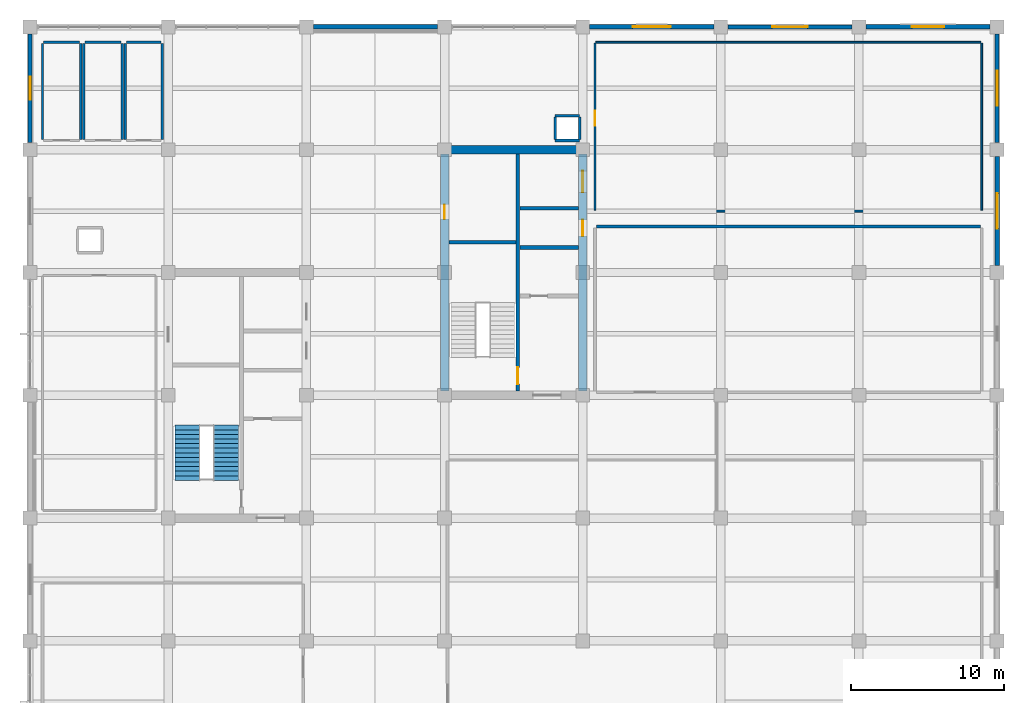
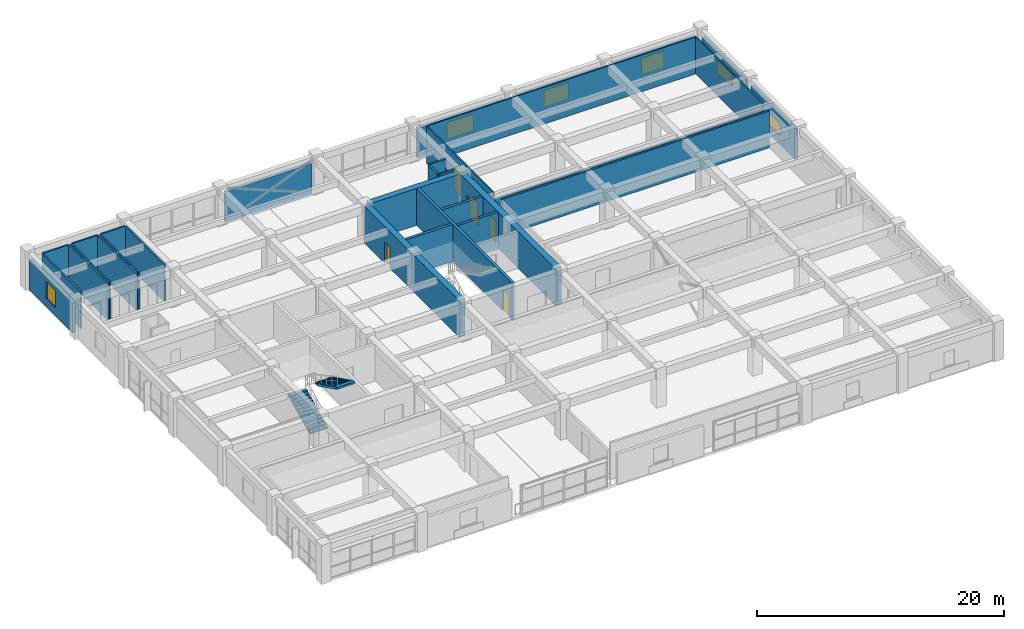
# One storey, part 14 of 16: 32 walls, 6 windows, 5 doors, 2 stair flights, 11 openings, 1 element without a shape of its own.
"""IFC4 building model written with IfcOpenShell, lengths in metres."""

from ifc_helpers import new_model, si_unit, direction, frame, frame_2d, origin, place, context, subcontext, project, spatial, polyline, rectangle, outline, extrude, material, layer, layer_set, type_object, element, fill, aggregate, save


model = new_model("IFC4")

# Units and contexts
model_context = context("Model", 3, precision=1e-05, world=origin(), true_north=direction((0.0, 1.0)))
body_context = subcontext(model_context, "Body", "Model", "MODEL_VIEW")
ifc_project = project(units=[si_unit("LENGTHUNIT", "METRE"), si_unit("AREAUNIT", "SQUARE_METRE"), si_unit("VOLUMEUNIT", "CUBIC_METRE"), si_unit("PLANEANGLEUNIT", "RADIAN"), si_unit("MASSUNIT", "GRAM", prefix="KILO")], contexts=[model_context])

# Site, building, storey
site_placement = place(None, origin())
site = spatial("IfcSite", under=ifc_project, at=site_placement, CompositionType="ELEMENT")
building_placement = place(site_placement, origin())
building = spatial("IfcBuilding", under=site, at=building_placement, Name="Zaverband Oceanarium and Marine Research Institute", CompositionType="ELEMENT")
storey_placement = place(building_placement, frame((0.0, 0.0, 25.800048828125)))
storey = spatial("IfcBuildingStorey", under=building, at=storey_placement, Name="L06", CompositionType="ELEMENT", Elevation=25.800048828125)

# Wall
ifc_material_1 = material(Name="Concrete C50/60", Category="concrete")
ifc_layer_1 = layer(ifc_material_1, 0.550048828125, Name="Concrete C50/60")
ifc_layer_set_1 = layer_set([ifc_layer_1], Name="Concrete C50/60")
wall_type_1 = type_object("IfcWallType", Name="CW-01", PredefinedType="SHEAR", material=ifc_layer_set_1)
wall_1_placement = place(storey_placement, frame((36.27490234375, 104.0, 0.0), z_axis=(0.0, 0.0, 1.0), x_axis=(1.0, 0.0, 0.0)))
element("IfcWall", 1, at=wall_1_placement, inside=storey, type_object=wall_type_1, Name="Structural shear wall CW-01", PredefinedType="SHEAR", context=body_context, shape_type="SweptSolid", body=[
    extrude(rectangle(XDim=8.4501953125, YDim=0.550048828125, at=frame_2d((4.22509765625, 0.0))), origin(), (0.0, 0.0, 1.0), 3.64990234375),
])

# Wall, opening, door
wall_2_placement = place(storey_placement, frame((36.0, 88.27490234375, 0.0), z_axis=(0.0, 0.0, 1.0), x_axis=(0.0, 1.0, 0.0)))
wall_2 = element("IfcWall", 2, at=wall_2_placement, inside=storey, type_object=wall_type_1, Name="Structural shear wall CW-01", PredefinedType="SHEAR", context=body_context, shape_type="SweptSolid", body=[
    extrude(rectangle(XDim=15.4501953125, YDim=0.550048828125, at=frame_2d((7.72509765625, 0.0))), origin(), (0.0, 0.0, 1.0), 3.64990234375),
])
opening_1_placement = place(wall_2_placement, frame((11.199951171875, 0.0, 0.0)))
opening_1 = element("IfcOpeningElement", 3, at=opening_1_placement, cuts=wall_2, Name="Opening FD-03", PredefinedType="OPENING", context=body_context, shape_type="SweptSolid", body=[
    extrude(rectangle(XDim=0.949951171875, YDim=2.10009765625, at=frame_2d((0.47509765625, 1.050048828125))), frame((0.0, 0.287109375, 0.0), z_axis=(0.0, -1.0, 0.0), x_axis=(1.0, 0.0, 0.0)), (0.0, 0.0, 1.0), 0.573974609375),
])
ifc_material_2 = material(Name="Steel S355", Category="steel")
door_type_1 = type_object("IfcDoorType", Name="FD-03", OperationType="NOTDEFINED", PredefinedType="DOOR", material=ifc_material_2)
door_1_placement = place(opening_1_placement, origin())
door_1 = element("IfcDoor", 4, at=door_1_placement, inside=storey, type_object=door_type_1, Name="Service riser access fire door FD-03", OperationType="SINGLE_SWING_RIGHT", OverallHeight=2.10009765625, OverallWidth=0.949951171875, PredefinedType="DOOR", context=body_context, shape_type="SweptSolid", body=[
    extrude(rectangle(XDim=0.949951171875, YDim=2.10009765625, at=frame_2d((0.47509765625, 1.050048828125))), frame((0.0, 0.02490234375, 0.0), z_axis=(0.0, -1.0, 0.0), x_axis=(1.0, 0.0, 0.0)), (0.0, 0.0, 1.0), 0.050048828125),
])
fill(opening_1, door_1)

# Wall, openings, doors
wall_3_placement = place(storey_placement, frame((45.0, 88.27490234375, 0.0), z_axis=(0.0, 0.0, 1.0), x_axis=(0.0, 1.0, 0.0)))
wall_3 = element("IfcWall", 5, at=wall_3_placement, inside=storey, type_object=wall_type_1, Name="Structural shear wall CW-01", PredefinedType="SHEAR", context=body_context, shape_type="SweptSolid", body=[
    extrude(rectangle(XDim=15.4501953125, YDim=0.550048828125, at=frame_2d((7.72509765625, 0.0))), origin(), (0.0, 0.0, 1.0), 3.64990234375),
])
opening_2_placement = place(wall_3_placement, frame((10.10009765625, 0.0, 0.0)))
opening_2 = element("IfcOpeningElement", 6, at=opening_2_placement, cuts=wall_3, Name="Opening LD-02", PredefinedType="OPENING", context=body_context, shape_type="SweptSolid", body=[
    extrude(rectangle(XDim=1.050048828125, YDim=2.1201171875, at=frame_2d((0.52490234375, 1.06005859375))), frame((0.0, 0.287109375, 0.0), z_axis=(0.0, -1.0, 0.0), x_axis=(1.0, 0.0, 0.0)), (0.0, 0.0, 1.0), 0.573974609375),
])
opening_3_placement = place(wall_3_placement, frame((12.949951171875, 0.0, 0.0)))
opening_3 = element("IfcOpeningElement", 7, at=opening_3_placement, cuts=wall_3, Name="Opening LD-03", PredefinedType="OPENING", context=body_context, shape_type="SweptSolid", body=[
    extrude(rectangle(XDim=1.39990234375, YDim=2.199951171875, at=frame_2d((0.699951171875, 1.10009765625))), frame((0.0, 0.287109375, 0.0), z_axis=(0.0, -1.0, 0.0), x_axis=(1.0, 0.0, 0.0)), (0.0, 0.0, 1.0), 0.573974609375),
])
door_type_2 = type_object("IfcDoorType", Name="LD-02", OperationType="DOUBLE_DOOR_SLIDING", PredefinedType="DOOR", material=ifc_material_2)
door_2_placement = place(opening_2_placement, origin())
door_2 = element("IfcDoor", 8, at=door_2_placement, inside=storey, type_object=door_type_2, Name="Passenger lift sliding landing door LD-02", OperationType="DOUBLE_DOOR_SLIDING", OverallHeight=2.1201171875, OverallWidth=1.050048828125, PredefinedType="DOOR", context=body_context, shape_type="SweptSolid", body=[
    extrude(rectangle(XDim=1.050048828125, YDim=2.1201171875, at=frame_2d((0.52490234375, 1.06005859375))), frame((0.0, 0.02490234375, 0.0), z_axis=(0.0, -1.0, 0.0), x_axis=(1.0, 0.0, 0.0)), (0.0, 0.0, 1.0), 0.050048828125),
])
fill(opening_2, door_2)
door_type_3 = type_object("IfcDoorType", Name="LD-03", OperationType="DOUBLE_DOOR_SLIDING", PredefinedType="DOOR", material=ifc_material_2)
door_3_placement = place(opening_3_placement, origin())
door_3 = element("IfcDoor", 9, at=door_3_placement, inside=storey, type_object=door_type_3, Name="Specimen goods lift sliding landing door LD-03", OperationType="DOUBLE_DOOR_SLIDING", OverallHeight=2.199951171875, OverallWidth=1.39990234375, PredefinedType="DOOR", context=body_context, shape_type="SweptSolid", body=[
    extrude(rectangle(XDim=1.39990234375, YDim=2.199951171875, at=frame_2d((0.699951171875, 1.10009765625))), frame((0.0, 0.02490234375, 0.0), z_axis=(0.0, -1.0, 0.0), x_axis=(1.0, 0.0, 0.0)), (0.0, 0.0, 1.0), 0.050048828125),
])
fill(opening_3, door_3)

# Wall, opening, window
ifc_material_3 = material(Name="Concrete C40/50 precast", Category="concrete")
ifc_layer_2 = layer(ifc_material_3, 0.264892578125, Name="Concrete C40/50 precast")
ifc_layer_set_2 = layer_set([ifc_layer_2], Name="Concrete C40/50 precast")
wall_type_2 = type_object("IfcWallType", Name="EW-265", PredefinedType="STANDARD", material=ifc_layer_set_2)
wall_4_placement = place(storey_placement, frame((54.455078125, 112.0, 0.0), z_axis=(0.0, 0.0, 1.0), x_axis=(1.0, 0.0, 0.0)))
wall_4 = element("IfcWall", 10, at=wall_4_placement, inside=storey, type_object=wall_type_2, Name="Exterior infill wall EW-265", PredefinedType="STANDARD", context=body_context, shape_type="SweptSolid", body=[
    extrude(rectangle(XDim=8.08984375, YDim=0.264892578125, at=frame_2d((4.044921875, 0.0))), origin(), (0.0, 0.0, 1.0), 2.97998046875),
])
opening_4_placement = place(wall_4_placement, frame((2.89501953125, 0.0, 0.85009765625)))
opening_4 = element("IfcOpeningElement", 11, at=opening_4_placement, cuts=wall_4, Name="Opening WN-2300x1650", PredefinedType="OPENING", context=body_context, shape_type="SweptSolid", body=[
    extrude(rectangle(XDim=2.300048828125, YDim=1.64990234375, at=frame_2d((1.14990234375, 0.824951171875))), frame((0.0, 0.14453125, 0.0), z_axis=(0.0, -1.0, 0.0), x_axis=(1.0, 0.0, 0.0)), (0.0, 0.0, 1.0), 0.288818359375),
])
ifc_material_4 = material(Name="Thermally broken anodized aluminium and solar-control glass", Category="aluminium")
window_type_1 = type_object("IfcWindowType", Name="WN-2300x1650", PartitioningType="SINGLE_PANEL", PredefinedType="WINDOW", material=ifc_material_4)
window_1_placement = place(opening_4_placement, origin())
window_1 = element("IfcWindow", 12, at=window_1_placement, inside=storey, type_object=window_type_1, Name="Fixed / casement exterior window WN-2300x1650", OverallHeight=1.64990234375, OverallWidth=2.300048828125, PartitioningType="SINGLE_PANEL", PredefinedType="WINDOW", context=body_context, shape_type="SweptSolid", body=[
    extrude(rectangle(XDim=2.300048828125, YDim=1.64990234375, at=frame_2d((1.14990234375, 0.824951171875))), frame((0.0, 0.030029296875, 0.0), z_axis=(0.0, -1.0, 0.0), x_axis=(1.0, 0.0, 0.0)), (0.0, 0.0, 1.0), 0.06005859375),
])
fill(opening_4, window_1)

wall_5_placement = place(storey_placement, frame((9.0, 104.455078125, 0.0), z_axis=(0.0, 0.0, 1.0), x_axis=(0.0, 1.0, 0.0)))
wall_5 = element("IfcWall", 13, at=wall_5_placement, inside=storey, type_object=wall_type_2, Name="Exterior infill wall EW-265", PredefinedType="STANDARD", context=body_context, shape_type="SweptSolid", body=[
    extrude(rectangle(XDim=7.08984375, YDim=0.264892578125, at=frame_2d((3.544921875, 0.0))), origin(), (0.0, 0.0, 1.0), 2.97998046875),
])
opening_5_placement = place(wall_5_placement, frame((2.794921875, 0.0, 0.85009765625)))
opening_5 = element("IfcOpeningElement", 14, at=opening_5_placement, cuts=wall_5, Name="Opening WN-1500x1650", PredefinedType="OPENING", context=body_context, shape_type="SweptSolid", body=[
    extrude(rectangle(XDim=1.5, YDim=1.64990234375, at=frame_2d((0.75, 0.824951171875))), frame((0.0, 0.14453125, 0.0), z_axis=(0.0, -1.0, 0.0), x_axis=(1.0, 0.0, 0.0)), (0.0, 0.0, 1.0), 0.288818359375),
])
window_type_2 = type_object("IfcWindowType", Name="WN-1500x1650", PartitioningType="SINGLE_PANEL", PredefinedType="WINDOW", material=ifc_material_4)
window_2_placement = place(opening_5_placement, origin())
window_2 = element("IfcWindow", 15, at=window_2_placement, inside=storey, type_object=window_type_2, Name="Fixed / casement exterior window WN-1500x1650", OverallHeight=1.64990234375, OverallWidth=1.5, PartitioningType="SINGLE_PANEL", PredefinedType="WINDOW", context=body_context, shape_type="SweptSolid", body=[
    extrude(rectangle(XDim=1.5, YDim=1.64990234375, at=frame_2d((0.75, 0.824951171875))), frame((0.0, 0.030029296875, 0.0), z_axis=(0.0, -1.0, 0.0), x_axis=(1.0, 0.0, 0.0)), (0.0, 0.0, 1.0), 0.06005859375),
])
fill(opening_5, window_2)

wall_6_placement = place(storey_placement, frame((72.0, 104.455078125, 0.0), z_axis=(0.0, 0.0, 1.0), x_axis=(0.0, 1.0, 0.0)))
wall_6 = element("IfcWall", 16, at=wall_6_placement, inside=storey, type_object=wall_type_2, Name="Exterior infill wall EW-265", PredefinedType="STANDARD", context=body_context, shape_type="SweptSolid", body=[
    extrude(rectangle(XDim=7.08984375, YDim=0.264892578125, at=frame_2d((3.544921875, 0.0))), origin(), (0.0, 0.0, 1.0), 2.97998046875),
])
opening_6_placement = place(wall_6_placement, frame((2.39501953125, 0.0, 0.85009765625)))
opening_6 = element("IfcOpeningElement", 17, at=opening_6_placement, cuts=wall_6, Name="Opening WN-2300x1200", PredefinedType="OPENING", context=body_context, shape_type="SweptSolid", body=[
    extrude(rectangle(XDim=2.300048828125, YDim=1.199951171875, at=frame_2d((1.14990234375, 0.60009765625))), frame((0.0, 0.14453125, 0.0), z_axis=(0.0, -1.0, 0.0), x_axis=(1.0, 0.0, 0.0)), (0.0, 0.0, 1.0), 0.288818359375),
])
window_type_3 = type_object("IfcWindowType", Name="WN-2300x1200", PartitioningType="SINGLE_PANEL", PredefinedType="WINDOW", material=ifc_material_4)
window_3_placement = place(opening_6_placement, origin())
window_3 = element("IfcWindow", 18, at=window_3_placement, inside=storey, type_object=window_type_3, Name="Fixed / casement exterior window WN-2300x1200", OverallHeight=1.199951171875, OverallWidth=2.300048828125, PartitioningType="SINGLE_PANEL", PredefinedType="WINDOW", context=body_context, shape_type="SweptSolid", body=[
    extrude(rectangle(XDim=2.300048828125, YDim=1.199951171875, at=frame_2d((1.14990234375, 0.60009765625))), frame((0.0, 0.030029296875, 0.0), z_axis=(0.0, -1.0, 0.0), x_axis=(1.0, 0.0, 0.0)), (0.0, 0.0, 1.0), 0.06005859375),
])
fill(opening_6, window_3)

# Wall
ifc_layer_3 = layer(ifc_material_3, 0.2900390625, Name="Concrete C40/50 precast")
ifc_layer_set_3 = layer_set([ifc_layer_3], Name="Concrete C40/50 precast")
wall_type_3 = type_object("IfcWallType", Name="EW-290", PredefinedType="STANDARD", material=ifc_layer_set_3)
wall_7_placement = place(storey_placement, frame((27.455078125, 112.0, 0.0), z_axis=(0.0, 0.0, 1.0), x_axis=(1.0, 0.0, 0.0)))
element("IfcWall", 19, at=wall_7_placement, inside=storey, type_object=wall_type_3, Name="Exterior infill wall EW-290", PredefinedType="STANDARD", context=body_context, shape_type="SweptSolid", body=[
    extrude(rectangle(XDim=8.08984375, YDim=0.2900390625, at=frame_2d((4.044921875, 0.0))), origin(), (0.0, 0.0, 1.0), 2.97998046875),
])

# Wall, opening, window
wall_8_placement = place(storey_placement, frame((45.455078125, 112.0, 0.0), z_axis=(0.0, 0.0, 1.0), x_axis=(1.0, 0.0, 0.0)))
wall_8 = element("IfcWall", 20, at=wall_8_placement, inside=storey, type_object=wall_type_3, Name="Exterior infill wall EW-290", PredefinedType="STANDARD", context=body_context, shape_type="SweptSolid", body=[
    extrude(rectangle(XDim=8.08984375, YDim=0.2900390625, at=frame_2d((4.044921875, 0.0))), origin(), (0.0, 0.0, 1.0), 2.97998046875),
])
opening_7_placement = place(wall_8_placement, frame((2.794921875, 0.0, 0.85009765625)))
opening_7 = element("IfcOpeningElement", 21, at=opening_7_placement, cuts=wall_8, Name="Opening WN-2500x1650", PredefinedType="OPENING", context=body_context, shape_type="SweptSolid", body=[
    extrude(rectangle(XDim=2.5, YDim=1.64990234375, at=frame_2d((1.25, 0.824951171875))), frame((0.0, 0.156982421875, 0.0), z_axis=(0.0, -1.0, 0.0), x_axis=(1.0, 0.0, 0.0)), (0.0, 0.0, 1.0), 0.31396484375),
])
window_type_4 = type_object("IfcWindowType", Name="WN-2500x1650", PartitioningType="SINGLE_PANEL", PredefinedType="WINDOW", material=ifc_material_4)
window_4_placement = place(opening_7_placement, origin())
window_4 = element("IfcWindow", 22, at=window_4_placement, inside=storey, type_object=window_type_4, Name="Fixed / casement exterior window WN-2500x1650", OverallHeight=1.64990234375, OverallWidth=2.5, PartitioningType="SINGLE_PANEL", PredefinedType="WINDOW", context=body_context, shape_type="SweptSolid", body=[
    extrude(rectangle(XDim=2.5, YDim=1.64990234375, at=frame_2d((1.25, 0.824951171875))), frame((0.0, 0.030029296875, 0.0), z_axis=(0.0, -1.0, 0.0), x_axis=(1.0, 0.0, 0.0)), (0.0, 0.0, 1.0), 0.06005859375),
])
fill(opening_7, window_4)

wall_9_placement = place(storey_placement, frame((63.455078125, 112.0, 0.0), z_axis=(0.0, 0.0, 1.0), x_axis=(1.0, 0.0, 0.0)))
wall_9 = element("IfcWall", 23, at=wall_9_placement, inside=storey, type_object=wall_type_3, Name="Exterior infill wall EW-290", PredefinedType="STANDARD", context=body_context, shape_type="SweptSolid", body=[
    extrude(rectangle(XDim=8.08984375, YDim=0.2900390625, at=frame_2d((4.044921875, 0.0))), origin(), (0.0, 0.0, 1.0), 2.97998046875),
])
opening_8_placement = place(wall_9_placement, frame((2.9951171875, 0.0, 0.85009765625)))
opening_8 = element("IfcOpeningElement", 24, at=opening_8_placement, cuts=wall_9, Name="Opening WN-2100x1650", PredefinedType="OPENING", context=body_context, shape_type="SweptSolid", body=[
    extrude(rectangle(XDim=2.10009765625, YDim=1.64990234375, at=frame_2d((1.050048828125, 0.824951171875))), frame((0.0, 0.156982421875, 0.0), z_axis=(0.0, -1.0, 0.0), x_axis=(1.0, 0.0, 0.0)), (0.0, 0.0, 1.0), 0.31396484375),
])
window_type_5 = type_object("IfcWindowType", Name="WN-2100x1650", PartitioningType="SINGLE_PANEL", PredefinedType="WINDOW", material=ifc_material_4)
window_5_placement = place(opening_8_placement, origin())
window_5 = element("IfcWindow", 25, at=window_5_placement, inside=storey, type_object=window_type_5, Name="Fixed / casement exterior window WN-2100x1650", OverallHeight=1.64990234375, OverallWidth=2.10009765625, PartitioningType="SINGLE_PANEL", PredefinedType="WINDOW", context=body_context, shape_type="SweptSolid", body=[
    extrude(rectangle(XDim=2.10009765625, YDim=1.64990234375, at=frame_2d((1.050048828125, 0.824951171875))), frame((0.0, 0.030029296875, 0.0), z_axis=(0.0, -1.0, 0.0), x_axis=(1.0, 0.0, 0.0)), (0.0, 0.0, 1.0), 0.06005859375),
])
fill(opening_8, window_5)

wall_10_placement = place(storey_placement, frame((72.0, 96.455078125, 0.0), z_axis=(0.0, 0.0, 1.0), x_axis=(0.0, 1.0, 0.0)))
wall_10 = element("IfcWall", 26, at=wall_10_placement, inside=storey, type_object=wall_type_3, Name="Exterior infill wall EW-290", PredefinedType="STANDARD", context=body_context, shape_type="SweptSolid", body=[
    extrude(rectangle(XDim=7.08984375, YDim=0.2900390625, at=frame_2d((3.544921875, 0.0))), origin(), (0.0, 0.0, 1.0), 2.97998046875),
])
opening_9_placement = place(wall_10_placement, frame((2.39501953125, 0.0, 0.85009765625)))
opening_9 = element("IfcOpeningElement", 27, at=opening_9_placement, cuts=wall_10, Name="Opening WN-2300x1200", PredefinedType="OPENING", context=body_context, shape_type="SweptSolid", body=[
    extrude(rectangle(XDim=2.300048828125, YDim=1.199951171875, at=frame_2d((1.14990234375, 0.60009765625))), frame((0.0, 0.156982421875, 0.0), z_axis=(0.0, -1.0, 0.0), x_axis=(1.0, 0.0, 0.0)), (0.0, 0.0, 1.0), 0.31396484375),
])
window_6_placement = place(opening_9_placement, origin())
window_6 = element("IfcWindow", 28, at=window_6_placement, inside=storey, type_object=window_type_3, Name="Fixed / casement exterior window WN-2300x1200", OverallHeight=1.199951171875, OverallWidth=2.300048828125, PartitioningType="SINGLE_PANEL", PredefinedType="WINDOW", context=body_context, shape_type="SweptSolid", body=[
    extrude(rectangle(XDim=2.300048828125, YDim=1.199951171875, at=frame_2d((1.14990234375, 0.60009765625))), frame((0.0, 0.030029296875, 0.0), z_axis=(0.0, -1.0, 0.0), x_axis=(1.0, 0.0, 0.0)), (0.0, 0.0, 1.0), 0.06005859375),
])
fill(opening_9, window_6)

# Walls
ifc_material_5 = material(Name="Insulated metal-stud office partition")
ifc_layer_4 = layer(ifc_material_5, 0.1201171875, Name="Insulated metal-stud office partition")
ifc_layer_set_4 = layer_set([ifc_layer_4], Name="Insulated metal-stud office partition")
wall_type_4 = type_object("IfcWallType", Name="PT-120-OF", PredefinedType="PARTITIONING", material=ifc_layer_set_4)
wall_11_placement = place(storey_placement, frame((45.860107421875, 100.0, 0.0), z_axis=(0.0, 0.0, 1.0), x_axis=(1.0, 0.0, 0.0)))
element("IfcWall", 29, at=wall_11_placement, inside=storey, type_object=wall_type_4, Name="Internal partition PT-120-OF", PredefinedType="PARTITIONING", context=body_context, shape_type="SweptSolid", body=[
    extrude(rectangle(XDim=25.079833984375, YDim=0.1201171875, at=frame_2d((12.5400390625, 0.0))), origin(), (0.0, 0.0, 1.0), 3.099853515625),
])
wall_12_placement = place(storey_placement, frame((45.860107421875, 111.0, 0.0), z_axis=(0.0, 0.0, 1.0), x_axis=(1.0, 0.0, 0.0)))
element("IfcWall", 30, at=wall_12_placement, inside=storey, type_object=wall_type_4, Name="Internal partition PT-120-OF", PredefinedType="PARTITIONING", context=body_context, shape_type="SweptSolid", body=[
    extrude(rectangle(XDim=25.079833984375, YDim=0.1201171875, at=frame_2d((12.5400390625, 0.0))), origin(), (0.0, 0.0, 1.0), 3.64990234375),
])

# Wall, opening, door
wall_13_placement = place(storey_placement, frame((45.800048828125, 100.06005859375, 0.0), z_axis=(0.0, 0.0, 1.0), x_axis=(0.0, 1.0, 0.0)))
wall_13 = element("IfcWall", 31, at=wall_13_placement, inside=storey, type_object=wall_type_4, Name="Internal partition PT-120-OF", PredefinedType="PARTITIONING", context=body_context, shape_type="SweptSolid", body=[
    extrude(rectangle(XDim=10.8798828125, YDim=0.1201171875, at=frame_2d((5.43994140625, 0.0))), origin(), (0.0, 0.0, 1.0), 3.64990234375),
])
opening_10_placement = place(wall_13_placement, frame((5.5, 0.0, 0.0)))
opening_10 = element("IfcOpeningElement", 32, at=opening_10_placement, cuts=wall_13, Name="Opening ID-990x2100", PredefinedType="OPENING", context=body_context, shape_type="SweptSolid", body=[
    extrude(rectangle(XDim=0.989990234375, YDim=2.10009765625, at=frame_2d((0.4951171875, 1.050048828125))), frame((0.0, 0.072021484375, 0.0), z_axis=(0.0, -1.0, 0.0), x_axis=(1.0, 0.0, 0.0)), (0.0, 0.0, 1.0), 0.14404296875),
])
ifc_material_6 = material(Name="Hardwood-veneered acoustic timber", Category="wood")
door_type_4 = type_object("IfcDoorType", Name="ID-990x2100", OperationType="NOTDEFINED", PredefinedType="DOOR", material=ifc_material_6)
door_4_placement = place(opening_10_placement, origin())
door_4 = element("IfcDoor", 33, at=door_4_placement, inside=storey, type_object=door_type_4, Name="Senior fellow office door ID-990x2100", OperationType="SINGLE_SWING_RIGHT", OverallHeight=2.10009765625, OverallWidth=0.989990234375, PredefinedType="DOOR", context=body_context, shape_type="SweptSolid", body=[
    extrude(rectangle(XDim=0.989990234375, YDim=2.10009765625, at=frame_2d((0.4951171875, 1.050048828125))), frame((0.0, 0.02490234375, 0.0), z_axis=(0.0, -1.0, 0.0), x_axis=(1.0, 0.0, 0.0)), (0.0, 0.0, 1.0), 0.050048828125),
])
fill(opening_10, door_4)

# Walls
wall_14_placement = place(storey_placement, frame((71.0, 100.06005859375, 0.0), z_axis=(0.0, 0.0, 1.0), x_axis=(0.0, 1.0, 0.0)))
element("IfcWall", 34, at=wall_14_placement, inside=storey, type_object=wall_type_4, Name="Internal partition PT-120-OF", PredefinedType="PARTITIONING", context=body_context, shape_type="SweptSolid", body=[
    extrude(rectangle(XDim=10.8798828125, YDim=0.1201171875, at=frame_2d((5.43994140625, 0.0))), origin(), (0.0, 0.0, 1.0), 3.64990234375),
])
ifc_material_7 = material(Name="Ceramic-tiled wet-room blockwork", Category="masonry")
ifc_layer_5 = layer(ifc_material_7, 0.14990234375, Name="Ceramic-tiled wet-room blockwork")
ifc_layer_set_5 = layer_set([ifc_layer_5], Name="Ceramic-tiled wet-room blockwork")
wall_type_5 = type_object("IfcWallType", Name="PT-150-WC", PredefinedType="PARTITIONING", material=ifc_layer_set_5)
wall_15_placement = place(storey_placement, frame((9.875, 111.0, 0.0), z_axis=(0.0, 0.0, 1.0), x_axis=(1.0, 0.0, 0.0)))
element("IfcWall", 35, at=wall_15_placement, inside=storey, type_object=wall_type_5, Name="Internal partition PT-150-WC", PredefinedType="PARTITIONING", context=body_context, shape_type="SweptSolid", body=[
    extrude(rectangle(XDim=2.35009765625, YDim=0.14990234375, at=frame_2d((1.175048828125, 0.0))), origin(), (0.0, 0.0, 1.0), 3.64990234375),
])
for number, where, z_axis, x_axis, name in (
    (36, (9.800048828125, 104.675048828125, 0.0), (0.0, 0.0, 1.0), (0.0, 1.0, 0.0), "Internal partition PT-150-WC"),
    (37, (12.300048828125, 104.675048828125, 0.0), (0.0, 0.0, 1.0), (0.0, 1.0, 0.0), "Internal partition PT-150-WC"),
):
    element("IfcWall", number, at=place(storey_placement, frame(where, z_axis=z_axis, x_axis=x_axis)), inside=storey, type_object=wall_type_5, Name=name, PredefinedType="PARTITIONING", context=body_context, shape_type="SweptSolid", body=[
        extrude(rectangle(XDim=6.25, YDim=0.14990234375, at=frame_2d((3.125, 0.0))), origin(), (0.0, 0.0, 1.0), 3.64990234375),
    ])
wall_16_placement = place(storey_placement, frame((12.574951171875, 111.0, 0.0), z_axis=(0.0, 0.0, 1.0), x_axis=(1.0, 0.0, 0.0)))
element("IfcWall", 38, at=wall_16_placement, inside=storey, type_object=wall_type_5, Name="Internal partition PT-150-WC", PredefinedType="PARTITIONING", context=body_context, shape_type="SweptSolid", body=[
    extrude(rectangle(XDim=2.35009765625, YDim=0.14990234375, at=frame_2d((1.175048828125, 0.0))), origin(), (0.0, 0.0, 1.0), 3.64990234375),
])
for number, where, z_axis, x_axis, name in (
    (39, (12.5, 104.675048828125, 0.0), (0.0, 0.0, 1.0), (0.0, 1.0, 0.0), "Internal partition PT-150-WC"),
    (40, (15.0, 104.675048828125, 0.0), (0.0, 0.0, 1.0), (0.0, 1.0, 0.0), "Internal partition PT-150-WC"),
):
    element("IfcWall", number, at=place(storey_placement, frame(where, z_axis=z_axis, x_axis=x_axis)), inside=storey, type_object=wall_type_5, Name=name, PredefinedType="PARTITIONING", context=body_context, shape_type="SweptSolid", body=[
        extrude(rectangle(XDim=6.25, YDim=0.14990234375, at=frame_2d((3.125, 0.0))), origin(), (0.0, 0.0, 1.0), 3.64990234375),
    ])
wall_17_placement = place(storey_placement, frame((15.27490234375, 111.0, 0.0), z_axis=(0.0, 0.0, 1.0), x_axis=(1.0, 0.0, 0.0)))
element("IfcWall", 41, at=wall_17_placement, inside=storey, type_object=wall_type_5, Name="Internal partition PT-150-WC", PredefinedType="PARTITIONING", context=body_context, shape_type="SweptSolid", body=[
    extrude(rectangle(XDim=2.25, YDim=0.14990234375, at=frame_2d((1.125, 0.0))), origin(), (0.0, 0.0, 1.0), 3.64990234375),
])
for number, where, z_axis, x_axis, name in (
    (42, (15.199951171875, 104.675048828125, 0.0), (0.0, 0.0, 1.0), (0.0, 1.0, 0.0), "Internal partition PT-150-WC"),
    (43, (17.60009765625, 104.675048828125, 0.0), (0.0, 0.0, 1.0), (0.0, 1.0, 0.0), "Internal partition PT-150-WC"),
):
    element("IfcWall", number, at=place(storey_placement, frame(where, z_axis=z_axis, x_axis=x_axis)), inside=storey, type_object=wall_type_5, Name=name, PredefinedType="PARTITIONING", context=body_context, shape_type="SweptSolid", body=[
        extrude(rectangle(XDim=6.25, YDim=0.14990234375, at=frame_2d((3.125, 0.0))), origin(), (0.0, 0.0, 1.0), 3.64990234375),
    ])
ifc_material_8 = material(Name="Corridor rated drywall partition")
ifc_layer_6 = layer(ifc_material_8, 0.1650390625, Name="Corridor rated drywall partition")
ifc_layer_set_6 = layer_set([ifc_layer_6], Name="Corridor rated drywall partition")
wall_type_6 = type_object("IfcWallType", Name="PT-165-CR", PredefinedType="PARTITIONING", material=ifc_layer_set_6)
for number, where, z_axis, x_axis, name in (
    (44, (43.199951171875, 104.60009765625, 0.0), (0.0, 0.0, 1.0), (1.0, 0.0, 0.0), "Internal partition PT-165-CR"),
    (45, (43.199951171875, 106.199951171875, 0.0), (0.0, 0.0, 1.0), (1.0, 0.0, 0.0), "Internal partition PT-165-CR"),
):
    element("IfcWall", number, at=place(storey_placement, frame(where, z_axis=z_axis, x_axis=x_axis)), inside=storey, type_object=wall_type_6, Name=name, PredefinedType="PARTITIONING", context=body_context, shape_type="SweptSolid", body=[
        extrude(rectangle(XDim=1.60009765625, YDim=0.1650390625, at=frame_2d((0.800048828125, 0.0))), origin(), (0.0, 0.0, 1.0), 3.64990234375),
    ])
wall_18_placement = place(storey_placement, frame((43.199951171875, 104.679931640625, 0.0), z_axis=(0.0, 0.0, 1.0), x_axis=(0.0, 1.0, 0.0)))
element("IfcWall", 46, at=wall_18_placement, inside=storey, type_object=wall_type_6, Name="Internal partition PT-165-CR", PredefinedType="PARTITIONING", context=body_context, shape_type="SweptSolid", body=[
    extrude(rectangle(XDim=1.440185546875, YDim=0.1650390625, at=frame_2d((0.72021484375, 0.0))), origin(), (0.0, 0.0, 1.0), 3.64990234375),
])
wall_19_placement = place(storey_placement, frame((44.800048828125, 104.679931640625, 0.0), z_axis=(0.0, 0.0, 1.0), x_axis=(0.0, 1.0, 0.0)))
element("IfcWall", 47, at=wall_19_placement, inside=storey, type_object=wall_type_6, Name="Internal partition PT-165-CR", PredefinedType="PARTITIONING", context=body_context, shape_type="SweptSolid", body=[
    extrude(rectangle(XDim=1.440185546875, YDim=0.1650390625, at=frame_2d((0.72021484375, 0.0))), origin(), (0.0, 0.0, 1.0), 2.849853515625),
])
ifc_material_9 = material(Name="Moisture-resistant laboratory blockwork", Category="masonry")
ifc_layer_7 = layer(ifc_material_9, 0.179931640625, Name="Moisture-resistant laboratory blockwork")
ifc_layer_set_7 = layer_set([ifc_layer_7], Name="Moisture-resistant laboratory blockwork")
wall_type_7 = type_object("IfcWallType", Name="PT-180-LB", PredefinedType="PARTITIONING", material=ifc_layer_set_7)
wall_20_placement = place(storey_placement, frame((45.889892578125, 99.0, 0.0), z_axis=(0.0, 0.0, 1.0), x_axis=(1.0, 0.0, 0.0)))
element("IfcWall", 48, at=wall_20_placement, inside=storey, type_object=wall_type_7, Name="Internal partition PT-180-LB", PredefinedType="PARTITIONING", context=body_context, shape_type="SweptSolid", body=[
    extrude(rectangle(XDim=25.02001953125, YDim=0.179931640625, at=frame_2d((12.510009765625, 0.0))), origin(), (0.0, 0.0, 1.0), 3.64990234375),
])

# Wall, opening, door
ifc_layer_8 = layer(ifc_material_1, 0.25, Name="Concrete C50/60")
ifc_layer_set_8 = layer_set([ifc_layer_8], Name="Concrete C50/60")
wall_type_8 = type_object("IfcWallType", Name="PW-CORE-250", PredefinedType="SOLIDWALL", material=ifc_layer_set_8)
wall_21_placement = place(storey_placement, frame((40.77490234375, 88.27490234375, 0.0), z_axis=(0.0, 0.0, 1.0), x_axis=(0.0, 1.0, 0.0)))
wall_21 = element("IfcWall", 49, at=wall_21_placement, inside=storey, type_object=wall_type_8, Name="Structural concrete wall PW-CORE-250", PredefinedType="SOLIDWALL", context=body_context, shape_type="SweptSolid", body=[
    extrude(rectangle(XDim=15.4501953125, YDim=0.25, at=frame_2d((7.72509765625, 0.0))), origin(), (0.0, 0.0, 1.0), 3.64990234375),
])
opening_11_placement = place(wall_21_placement, frame((0.449951171875, 0.0, 0.0)))
opening_11 = element("IfcOpeningElement", 50, at=opening_11_placement, cuts=wall_21, Name="Opening FD-01", PredefinedType="OPENING", context=body_context, shape_type="SweptSolid", body=[
    extrude(rectangle(XDim=1.10009765625, YDim=2.14990234375, at=frame_2d((0.550048828125, 1.074951171875))), frame((0.0, 0.136962890625, 0.0), z_axis=(0.0, -1.0, 0.0), x_axis=(1.0, 0.0, 0.0)), (0.0, 0.0, 1.0), 0.27392578125),
])
door_type_5 = type_object("IfcDoorType", Name="FD-01", OperationType="NOTDEFINED", PredefinedType="DOOR", material=ifc_material_2)
door_5_placement = place(opening_11_placement, origin())
door_5 = element("IfcDoor", 51, at=door_5_placement, inside=storey, type_object=door_type_5, Name="Core stair / lobby fire door FD-01", OperationType="SINGLE_SWING_LEFT", OverallHeight=2.14990234375, OverallWidth=1.10009765625, PredefinedType="DOOR", context=body_context, shape_type="SweptSolid", body=[
    extrude(rectangle(XDim=1.10009765625, YDim=2.14990234375, at=frame_2d((0.550048828125, 1.074951171875))), frame((0.0, 0.02490234375, 0.0), z_axis=(0.0, -1.0, 0.0), x_axis=(1.0, 0.0, 0.0)), (0.0, 0.0, 1.0), 0.050048828125),
])
fill(opening_11, door_5)

# Walls
wall_22_placement = place(storey_placement, frame((36.27490234375, 97.97509765625, 0.0), z_axis=(0.0, 0.0, 1.0), x_axis=(1.0, 0.0, 0.0)))
element("IfcWall", 52, at=wall_22_placement, inside=storey, type_object=wall_type_8, Name="Structural concrete wall PW-CORE-250", PredefinedType="SOLIDWALL", context=body_context, shape_type="SweptSolid", body=[
    extrude(rectangle(XDim=4.3701171875, YDim=0.25, at=frame_2d((2.18505859375, 0.0))), origin(), (0.0, 0.0, 1.0), 3.64990234375),
])
for number, where, z_axis, x_axis, name in (
    (53, (40.905029296875, 97.6298828125, 0.0), (0.0, 0.0, 1.0), (1.0, 0.0, 0.0), "Structural concrete wall PW-CORE-250"),
    (54, (40.905029296875, 100.179931640625, 0.0), (0.0, 0.0, 1.0), (1.0, 0.0, 0.0), "Structural concrete wall PW-CORE-250"),
):
    element("IfcWall", number, at=place(storey_placement, frame(where, z_axis=z_axis, x_axis=x_axis)), inside=storey, type_object=wall_type_8, Name=name, PredefinedType="SOLIDWALL", context=body_context, shape_type="SweptSolid", body=[
        extrude(rectangle(XDim=3.820068359375, YDim=0.25, at=frame_2d((1.91015625, 0.0))), origin(), (0.0, 0.0, 1.0), 3.64990234375),
    ])

# Stair, stair flights
ifc_material_10 = material(Name="Concrete C40/50", Category="concrete")
stair_type = type_object("IfcStairType", Name="STR-TWR-1650-3900", PredefinedType="HALF_TURN_STAIR", material=ifc_material_10)
stair_placement = place(storey_placement, origin())
stair = element("IfcStair", 55, at=stair_placement, inside=storey, type_object=stair_type, Name="Exit Stair ST-01 (L06)", PredefinedType="HALF_TURN_STAIR")
stair_flight_type = type_object("IfcStairFlightType", Name="STR-TWR-1650-3900-FL", PredefinedType="STRAIGHT", material=ifc_material_10)
stair_flight_1_placement = place(storey_placement, frame((19.2548828125, 82.449951171875, 0.0), z_axis=(0.0, 0.0, 1.0), x_axis=(0.0, 1.0, 0.0)))
stair_flight_1 = element("IfcStairFlight", 56, at=stair_flight_1_placement, type_object=stair_flight_type, Name="Reinforced concrete stair flight ST-01-F1", NumberOfRisers=13, NumberOfTreads=12, PredefinedType="STRAIGHT", RiserHeight=0.15, TreadLength=0.3, context=body_context, shape_type="SweptSolid", body=[
    extrude(outline(polyline([(0.0, 0.0), (0.0, 0.14990234375), (0.300048828125, 0.14990234375), (0.300048828125, 0.300048828125), (0.60009765625, 0.300048828125), (0.60009765625, 0.449951171875), (0.89990234375, 0.449951171875), (0.89990234375, 0.60009765625), (1.199951171875, 0.60009765625), (1.199951171875, 0.75), (1.5, 0.75), (1.5, 0.89990234375), (1.800048828125, 0.89990234375), (1.800048828125, 1.050048828125), (2.10009765625, 1.050048828125), (2.10009765625, 1.199951171875), (2.39990234375, 1.199951171875), (2.39990234375, 1.35009765625), (2.699951171875, 1.35009765625), (2.699951171875, 1.5), (3.0, 1.5), (3.0, 1.64990234375), (3.300048828125, 1.64990234375), (3.300048828125, 1.800048828125), (3.60009765625, 1.800048828125), (3.60009765625, 1.949951171875), (3.60009765625, 1.598876953125), (0.40234375, 0.0), (0.0, 0.0)])), frame((0.0, 0.824951171875, 0.0), z_axis=(0.0, -1.0, 0.0), x_axis=(1.0, 0.0, 0.0)), (0.0, 0.0, 1.0), 1.64990234375),
])
stair_flight_2_placement = place(storey_placement, frame((21.7451171875, 86.050048828125, 1.949951171875), z_axis=(0.0, 0.0, 1.0), x_axis=(0.0, -1.0, 0.0)))
stair_flight_2 = element("IfcStairFlight", 57, at=stair_flight_2_placement, type_object=stair_flight_type, Name="Reinforced concrete stair flight ST-01-F2", NumberOfRisers=13, NumberOfTreads=12, PredefinedType="STRAIGHT", RiserHeight=0.15, TreadLength=0.3, context=body_context, shape_type="SweptSolid", body=[
    extrude(outline(polyline([(0.0, 0.0), (0.0, 0.14990234375), (0.300048828125, 0.14990234375), (0.300048828125, 0.300048828125), (0.60009765625, 0.300048828125), (0.60009765625, 0.449951171875), (0.89990234375, 0.449951171875), (0.89990234375, 0.60009765625), (1.199951171875, 0.60009765625), (1.199951171875, 0.75), (1.5, 0.75), (1.5, 0.89990234375), (1.800048828125, 0.89990234375), (1.800048828125, 1.050048828125), (2.10009765625, 1.050048828125), (2.10009765625, 1.199951171875), (2.39990234375, 1.199951171875), (2.39990234375, 1.35009765625), (2.699951171875, 1.35009765625), (2.699951171875, 1.5), (3.0, 1.5), (3.0, 1.64990234375), (3.300048828125, 1.64990234375), (3.300048828125, 1.800048828125), (3.60009765625, 1.800048828125), (3.60009765625, 1.949951171875), (3.60009765625, 1.598876953125), (0.40234375, 0.0), (0.0, 0.0)])), frame((0.0, 0.824951171875, 0.0), z_axis=(0.0, -1.0, 0.0), x_axis=(1.0, 0.0, 0.0)), (0.0, 0.0, 1.0), 1.64990234375),
])
aggregate(stair, [stair_flight_1, stair_flight_2])

save(model, "model.ifc")
